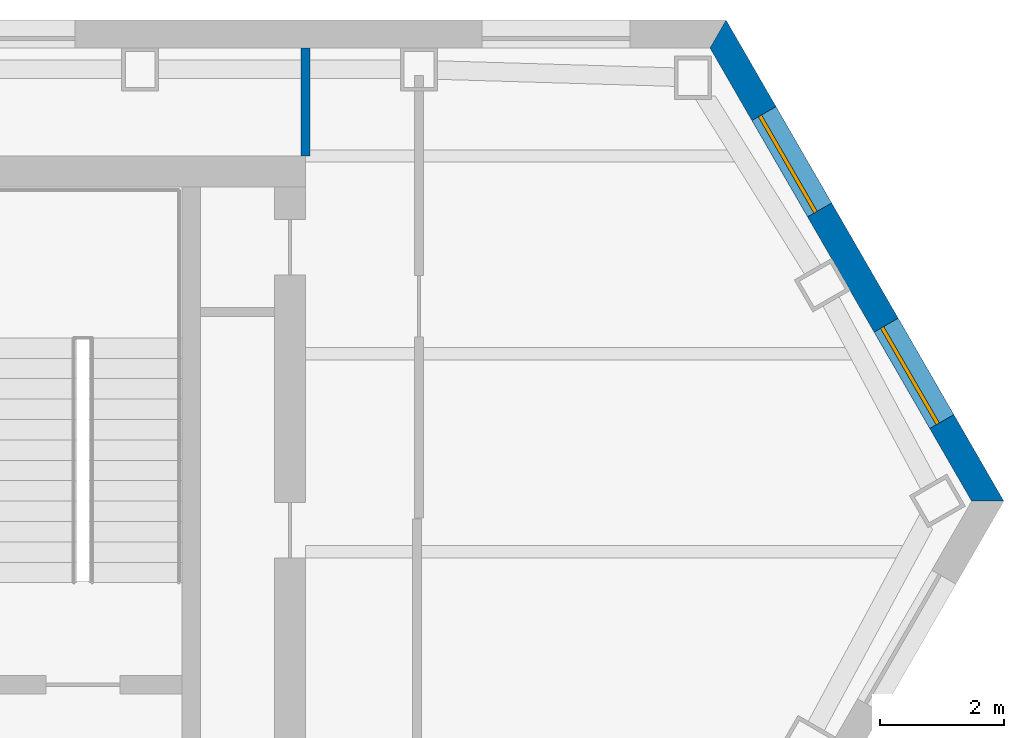
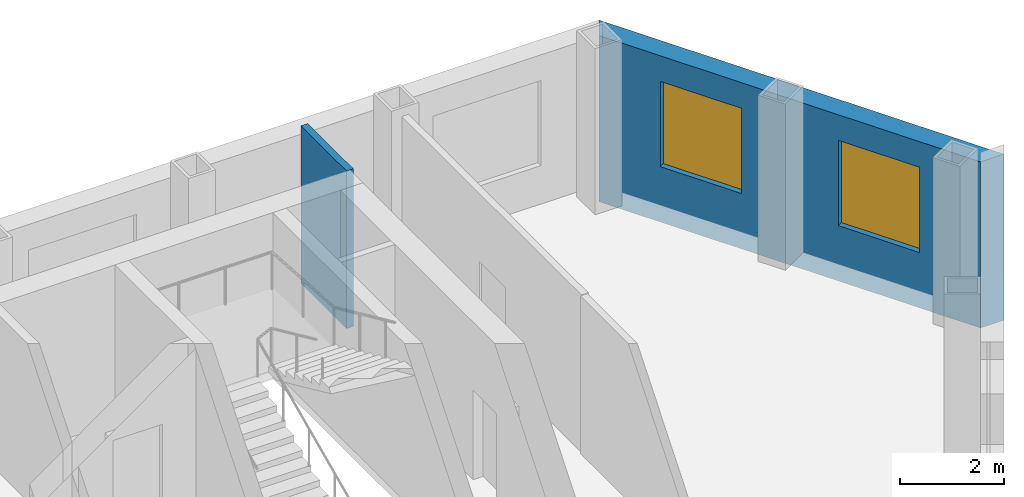
# One storey, part 8 of 11: 2 walls, 2 windows, 2 openings.
"""IFC4 building model written with IfcOpenShell, lengths in metres."""

from ifc_helpers import new_model, si_unit, direction, frame, frame_2d, origin, place, context, subcontext, project, spatial, polyline, rectangle, outline, extrude, material, layer, layer_set, type_object, element, fill, save


model = new_model("IFC4")

# Units and contexts
model_context = context("Model", 3, precision=1e-05, world=origin(), true_north=direction((0.0, 1.0)))
body_context = subcontext(model_context, "Body", "Model", "MODEL_VIEW")
ifc_project = project(units=[si_unit("LENGTHUNIT", "METRE"), si_unit("AREAUNIT", "SQUARE_METRE"), si_unit("VOLUMEUNIT", "CUBIC_METRE"), si_unit("PLANEANGLEUNIT", "RADIAN"), si_unit("MASSUNIT", "GRAM", prefix="KILO")], contexts=[model_context])

# Site, building, storey
site_placement = place(None, origin())
site = spatial("IfcSite", under=ifc_project, at=site_placement, CompositionType="ELEMENT")
building_placement = place(site_placement, origin())
building = spatial("IfcBuilding", under=site, at=building_placement, Name="Njiva Tower", CompositionType="ELEMENT")
storey_placement = place(building_placement, frame((0.0, 0.0, 147.6)))
storey = spatial("IfcBuildingStorey", under=building, at=storey_placement, Name="L31", CompositionType="ELEMENT", Elevation=147.6)

# Wall
ifc_material_1 = material(Name="Gypsum board on steel studs", Category="gypsum")
ifc_layer_1 = layer(ifc_material_1, 0.15)
ifc_layer_set_1 = layer_set([ifc_layer_1], Name="Gypsum board on steel studs")
wall_type_1 = type_object("IfcWallType", Name="WT21 Compartment wall 150", PredefinedType="PARTITIONING", material=ifc_layer_set_1)
wall_1_placement = place(storey_placement, frame((16.2, 18.0, 0.0), z_axis=(0.0, 0.0, 1.0), x_axis=(0.0, 1.0, 0.0)))
element("IfcWall", 1, at=wall_1_placement, inside=storey, type_object=wall_type_1, Name="Partition S10-P026", PredefinedType="PARTITIONING", context=body_context, shape_type="SweptSolid", body=[
    extrude(rectangle(XDim=1.75, YDim=0.15, at=frame_2d((0.875, 0.0))), origin(), (0.0, 0.0, 1.0), 3.7),
])

# Wall, openings, windows
ifc_material_2 = material(Name="Brick masonry, buff", Category="masonry")
ifc_layer_2 = layer(ifc_material_2, 0.45)
ifc_layer_set_2 = layer_set([ifc_layer_2], Name="Brick masonry, buff")
wall_type_2 = type_object("IfcWallType", Name="WT94 Brick pier and spandrel wall 450, buff", PredefinedType="SOLIDWALL", material=ifc_layer_set_2)
wall_2_placement = place(storey_placement, frame((27.2314, 12.4209, -0.4), z_axis=(0.0, 0.0, 1.0), x_axis=(-0.500000731243, 0.866024981601, 0.0)))
wall_2 = element("IfcWall", 2, at=wall_2_placement, inside=storey, type_object=wall_type_2, Name="Facade wall NE", PredefinedType="SOLIDWALL", context=body_context, shape_type="SweptSolid", body=[
    extrude(outline(polyline([(-0.1299, -0.225), (8.8501, -0.225), (8.5903, 0.225), (0.1299, 0.225), (-0.1299, -0.225)])), origin(), (0.0, 0.0, 1.0), 3.9),
])
opening_1_placement = place(wall_2_placement, frame((1.4844, 0.0, 1.3)))
opening_1 = element("IfcOpeningElement", 3, at=opening_1_placement, cuts=wall_2, Name="Opening S10-W32", PredefinedType="OPENING", context=body_context, shape_type="SweptSolid", body=[
    extrude(rectangle(XDim=1.8, YDim=2.0, at=frame_2d((0.9, 1.0))), frame((0.0, 0.235, 0.0), z_axis=(0.0, -1.0, 0.0), x_axis=(1.0, 0.0, 0.0)), (0.0, 0.0, 1.0), 0.47),
])
opening_2_placement = place(wall_2_placement, frame((5.4357, 0.0, 1.3)))
opening_2 = element("IfcOpeningElement", 4, at=opening_2_placement, cuts=wall_2, Name="Opening S10-W33", PredefinedType="OPENING", context=body_context, shape_type="SweptSolid", body=[
    extrude(rectangle(XDim=1.8, YDim=2.0, at=frame_2d((0.9, 1.0))), frame((0.0, 0.235, 0.0), z_axis=(0.0, -1.0, 0.0), x_axis=(1.0, 0.0, 0.0)), (0.0, 0.0, 1.0), 0.47),
])
ifc_material_3 = material(Name="Clear glazing in aluminium frame", Category="aluminium")
window_type = type_object("IfcWindowType", Name="W94 Deep-set window 1800x2000", PartitioningType="SINGLE_PANEL", PredefinedType="WINDOW", material=ifc_material_3)
window_1_placement = place(opening_1_placement, origin())
window_1 = element("IfcWindow", 5, at=window_1_placement, inside=storey, type_object=window_type, Name="Window", OverallHeight=2.0, OverallWidth=1.8, PartitioningType="SINGLE_PANEL", PredefinedType="WINDOW", context=body_context, shape_type="SweptSolid", body=[
    extrude(rectangle(XDim=1.8, YDim=2.0, at=frame_2d((0.9, 1.0))), frame((0.0, 0.105, 0.0), z_axis=(0.0, -1.0, 0.0), x_axis=(1.0, 0.0, 0.0)), (0.0, 0.0, 1.0), 0.06),
])
fill(opening_1, window_1)
window_2_placement = place(opening_2_placement, origin())
window_2 = element("IfcWindow", 6, at=window_2_placement, inside=storey, type_object=window_type, Name="Window", OverallHeight=2.0, OverallWidth=1.8, PartitioningType="SINGLE_PANEL", PredefinedType="WINDOW", context=body_context, shape_type="SweptSolid", body=[
    extrude(rectangle(XDim=1.8, YDim=2.0, at=frame_2d((0.9, 1.0))), frame((0.0, 0.105, 0.0), z_axis=(0.0, -1.0, 0.0), x_axis=(1.0, 0.0, 0.0)), (0.0, 0.0, 1.0), 0.06),
])
fill(opening_2, window_2)

save(model, "model.ifc")
